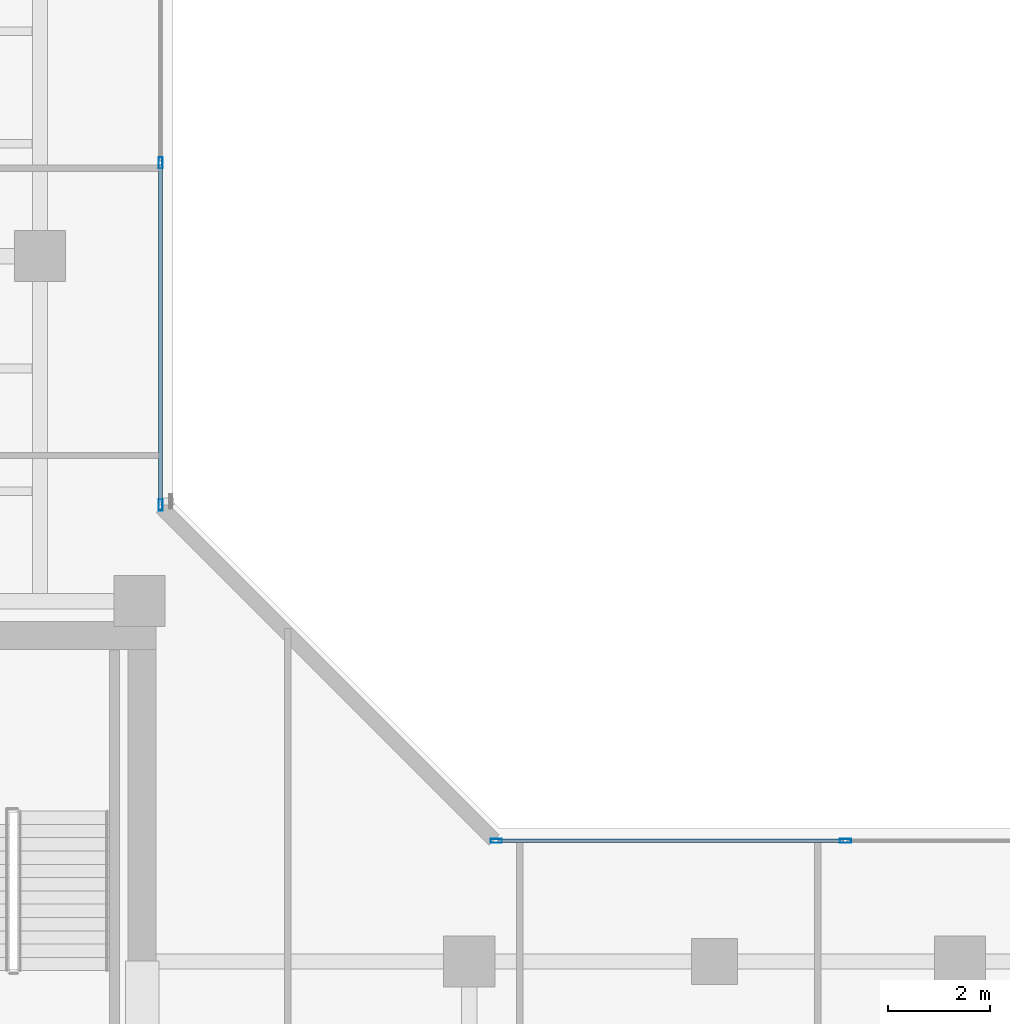
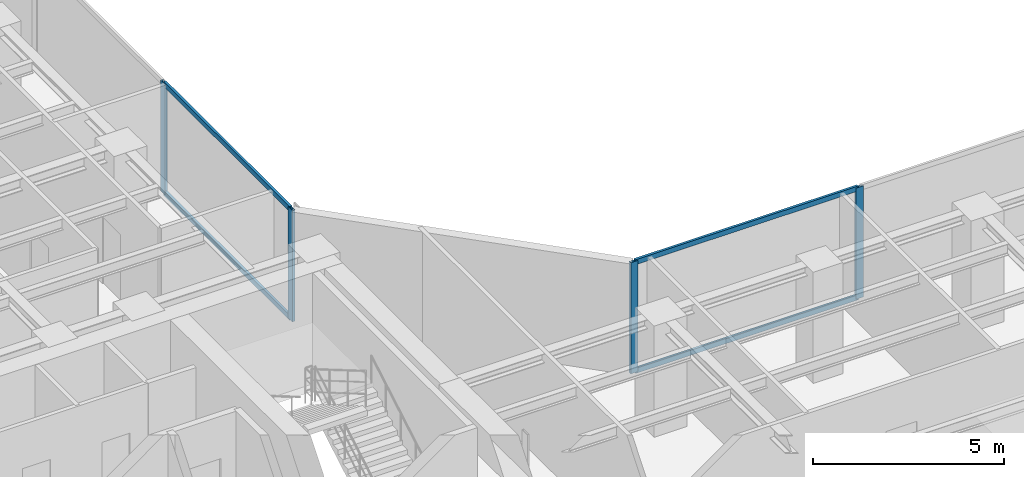
# One storey, part 9 of 23: 8 members, 2 elements without a shape of their own.
"""IFC4 building model written with IfcOpenShell, lengths in metres."""

from ifc_helpers import new_model, si_unit, direction, frame, origin, origin_with_axes, origin_2d, place, context, subcontext, project, spatial, hollow_rectangle, extrude, source, transform, mapped, material, layer, layer_set, material_profile, profile_set, type_object, element, aggregate, save


model = new_model("IFC4")

# Units and contexts
model_context = context("Model", 3, precision=1e-05, world=origin(), true_north=direction((0.0, 1.0)))
body_context = subcontext(model_context, "Body", "Model", "MODEL_VIEW")
ifc_project = project(units=[si_unit("LENGTHUNIT", "METRE"), si_unit("AREAUNIT", "SQUARE_METRE"), si_unit("VOLUMEUNIT", "CUBIC_METRE"), si_unit("PLANEANGLEUNIT", "RADIAN"), si_unit("MASSUNIT", "GRAM", prefix="KILO")], contexts=[model_context])

# Site, building, storey
site_placement = place(None, origin())
site = spatial("IfcSite", under=ifc_project, at=site_placement, CompositionType="ELEMENT")
building_placement = place(site_placement, origin())
building = spatial("IfcBuilding", under=site, at=building_placement, Name="Kolvaren Waterfront Exchange", CompositionType="ELEMENT")
storey_placement = place(building_placement, frame((0.0, 0.0, 227.300048828125)))
storey = spatial("IfcBuildingStorey", under=building, at=storey_placement, Name="L58", CompositionType="ELEMENT", Elevation=227.300048828125)

# Curtain wall, members
ifc_material_1 = material(Name="Anodised bronze aluminium 6063-T6", Category="aluminium")
ifc_layer = layer(ifc_material_1, 0.219970703125, Name="Anodised bronze aluminium 6063-T6")
ifc_layer_set = layer_set([ifc_layer], Name="Anodised bronze aluminium 6063-T6")
curtain_wall_type = type_object("IfcCurtainWallType", Name="ARC-CW-SYS1", PredefinedType="USERDEFINED", material=ifc_layer_set)
curtain_wall_1_placement = place(storey_placement, origin())
curtain_wall_1 = element("IfcCurtainWall", 1, at=curtain_wall_1_placement, inside=storey, type_object=curtain_wall_type, Name="L58 stick curtain wall CW1 (CW-L58-NE)", ObjectType="STICK CURTAIN WALL", PredefinedType="USERDEFINED")
ifc_material_2 = material(Name="Anodised aluminium 6063-T6", Category="aluminium")
ifc_material_profile_1 = material_profile(ifc_material_2, hollow_rectangle(XDim=0.080078125, YDim=0.219970703125, WallThickness=0.0048828125, at=origin_2d()), Name="ALU-MUL-220x80x5")
ifc_profile_set_1 = profile_set([ifc_material_profile_1], Name="Anodised aluminium 6063-T6")
member_type_1 = type_object("IfcMemberType", Name="ARC-CWM-220", PredefinedType="MULLION", material=ifc_profile_set_1)
shared_shape_1 = source(origin_with_axes(), body_context, "Body", "SweptSolid", [
    extrude(hollow_rectangle(XDim=0.080078125, YDim=0.219970703125, WallThickness=0.0048828125, at=origin_2d()), origin(), (0.0, 0.0, 1.0), 3.56005859375),
])
member_1_placement = place(storey_placement, frame((21.159912109375, 26.330078125, 0.0), z_axis=(0.0, 0.0, 1.0), x_axis=(-1.0, 0.0, 0.0)))
member_1 = element("IfcMember", 2, at=member_1_placement, type_object=member_type_1, Name="CW1 mullion 1", PredefinedType="MULLION", context=body_context, shape_type="MappedRepresentation", body=[
    mapped(shared_shape_1, transform((0.0, 0.0, 0.0), x_axis=(1.0, 0.0, 0.0), y_axis=(0.0, 1.0, 0.0), z_axis=(0.0, 0.0, 1.0), scale=1.0)),
])
member_2_placement = place(storey_placement, frame((21.159912109375, 33.026611328125, 0.0), z_axis=(0.0, 0.0, 1.0), x_axis=(-1.0, 0.0, 0.0)))
member_2 = element("IfcMember", 3, at=member_2_placement, type_object=member_type_1, Name="CW1 mullion 2", PredefinedType="MULLION", context=body_context, shape_type="MappedRepresentation", body=[
    mapped(shared_shape_1, transform((0.0, 0.0, 0.0), x_axis=(1.0, 0.0, 0.0), y_axis=(0.0, 1.0, 0.0), z_axis=(0.0, 0.0, 1.0), scale=1.0)),
])

curtain_wall_2_placement = place(storey_placement, origin())
curtain_wall_2 = element("IfcCurtainWall", 4, at=curtain_wall_2_placement, inside=storey, type_object=curtain_wall_type, Name="L58 stick curtain wall CW1 (CW-L58-EN)", ObjectType="STICK CURTAIN WALL", PredefinedType="USERDEFINED")
member_3_placement = place(storey_placement, frame((27.72998046875, 19.760009765625, 0.0), z_axis=(0.0, 0.0, 1.0), x_axis=(0.0, 1.0, 0.0)))
member_3 = element("IfcMember", 5, at=member_3_placement, type_object=member_type_1, Name="CW1 mullion 1", PredefinedType="MULLION", context=body_context, shape_type="MappedRepresentation", body=[
    mapped(shared_shape_1, transform((0.0, 0.0, 0.0), x_axis=(1.0, 0.0, 0.0), y_axis=(0.0, 1.0, 0.0), z_axis=(0.0, 0.0, 1.0), scale=1.0)),
])
member_4_placement = place(storey_placement, frame((34.56005859375, 19.760009765625, 0.0), z_axis=(0.0, 0.0, 1.0), x_axis=(0.0, 1.0, 0.0)))
member_4 = element("IfcMember", 6, at=member_4_placement, type_object=member_type_1, Name="CW1 mullion 2", PredefinedType="MULLION", context=body_context, shape_type="MappedRepresentation", body=[
    mapped(shared_shape_1, transform((0.0, 0.0, 0.0), x_axis=(1.0, 0.0, 0.0), y_axis=(0.0, 1.0, 0.0), z_axis=(0.0, 0.0, 1.0), scale=1.0)),
])

# Member
ifc_material_profile_2 = material_profile(ifc_material_2, hollow_rectangle(XDim=0.074951171875, YDim=0.159912109375, WallThickness=0.00439453125, at=origin_2d()), Name="ALU-TRN-160x75x4.5")
ifc_profile_set_2 = profile_set([ifc_material_profile_2], Name="Anodised aluminium 6063-T6")
member_type_2 = type_object("IfcMemberType", Name="ARC-CWT-160", PredefinedType="USERDEFINED", material=ifc_profile_set_2)
shared_shape_2 = source(origin_with_axes(), body_context, "Body", "SweptSolid", [
    extrude(hollow_rectangle(XDim=0.074951171875, YDim=0.159912109375, WallThickness=0.00439453125, at=origin_2d()), origin(), (0.0, 0.0, 1.0), 6.616455078125),
])
member_5_placement = place(storey_placement, frame((21.159912109375, 26.3701171875, 0.037353515625), z_axis=(0.0, 1.0, 0.0), x_axis=(-1.0, 0.0, 0.0)))
member_5 = element("IfcMember", 7, at=member_5_placement, type_object=member_type_2, Name="CW1 transom 1.1", ObjectType="TRANSOM", PredefinedType="USERDEFINED", context=body_context, shape_type="MappedRepresentation", body=[
    mapped(shared_shape_2, transform((0.0, 0.0, 0.0), x_axis=(1.0, 0.0, 0.0), y_axis=(0.0, 1.0, 0.0), z_axis=(0.0, 0.0, 1.0), scale=1.0)),
])

member_6_placement = place(storey_placement, frame((21.159912109375, 26.3701171875, 3.5224609375), z_axis=(0.0, 1.0, 0.0), x_axis=(-1.0, 0.0, 0.0)))
member_6 = element("IfcMember", 8, at=member_6_placement, type_object=member_type_2, Name="CW1 transom 1.2", ObjectType="TRANSOM", PredefinedType="USERDEFINED", context=body_context, shape_type="MappedRepresentation", body=[
    mapped(shared_shape_2, transform((0.0, 0.0, 0.0), x_axis=(1.0, 0.0, 0.0), y_axis=(0.0, 1.0, 0.0), z_axis=(0.0, 0.0, 1.0), scale=1.0)),
])

aggregate(curtain_wall_1, [member_1, member_2, member_5, member_6])

shared_shape_3 = source(origin_with_axes(), body_context, "Body", "SweptSolid", [
    extrude(hollow_rectangle(XDim=0.074951171875, YDim=0.159912109375, WallThickness=0.00439453125, at=origin_2d()), origin(), (0.0, 0.0, 1.0), 6.75),
])
member_7_placement = place(storey_placement, frame((27.77001953125, 19.760009765625, 0.037353515625), z_axis=(1.0, 0.0, 0.0), x_axis=(0.0, 1.0, 0.0)))
member_7 = element("IfcMember", 9, at=member_7_placement, type_object=member_type_2, Name="CW1 transom 1.1", ObjectType="TRANSOM", PredefinedType="USERDEFINED", context=body_context, shape_type="MappedRepresentation", body=[
    mapped(shared_shape_3, transform((0.0, 0.0, 0.0), x_axis=(1.0, 0.0, 0.0), y_axis=(0.0, 1.0, 0.0), z_axis=(0.0, 0.0, 1.0), scale=1.0)),
])

member_8_placement = place(storey_placement, frame((27.77001953125, 19.760009765625, 3.5224609375), z_axis=(1.0, 0.0, 0.0), x_axis=(0.0, 1.0, 0.0)))
member_8 = element("IfcMember", 10, at=member_8_placement, type_object=member_type_2, Name="CW1 transom 1.2", ObjectType="TRANSOM", PredefinedType="USERDEFINED", context=body_context, shape_type="MappedRepresentation", body=[
    mapped(shared_shape_3, transform((0.0, 0.0, 0.0), x_axis=(1.0, 0.0, 0.0), y_axis=(0.0, 1.0, 0.0), z_axis=(0.0, 0.0, 1.0), scale=1.0)),
])

aggregate(curtain_wall_2, [member_3, member_4, member_7, member_8])

save(model, "model.ifc")
